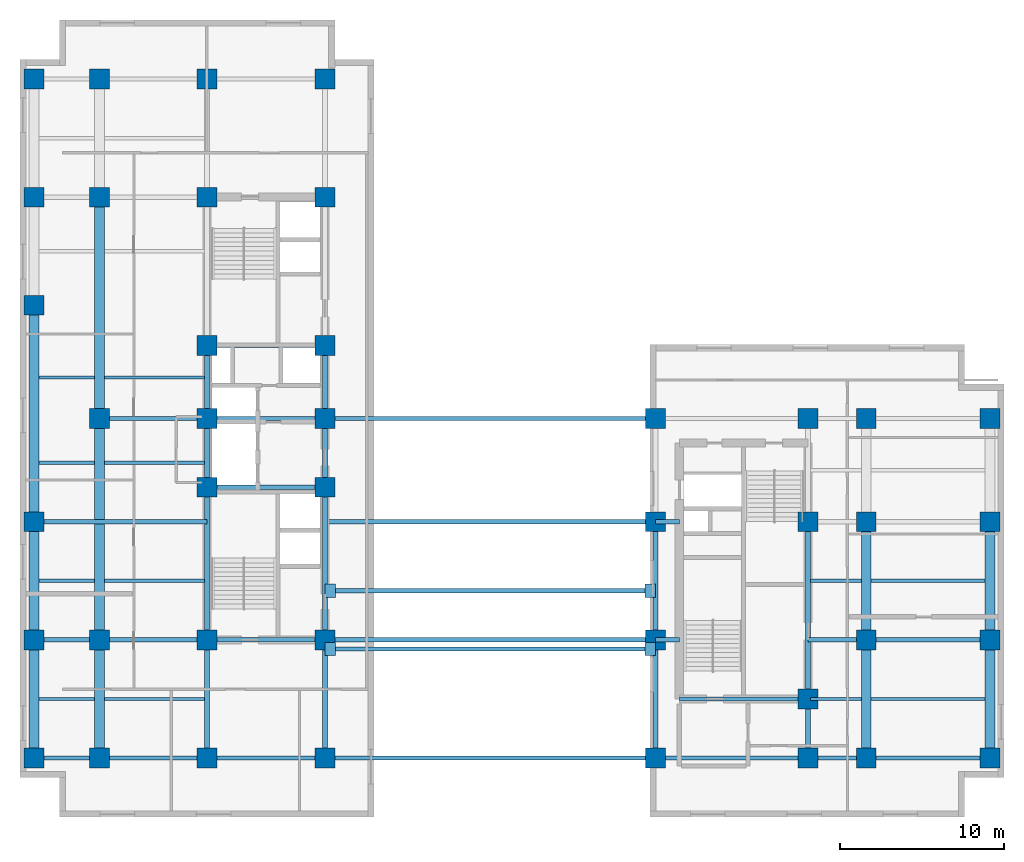
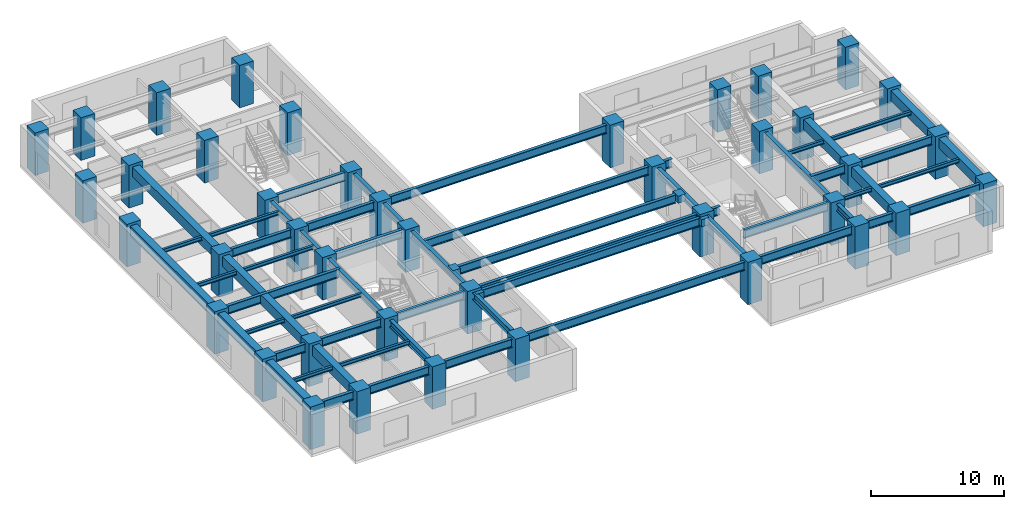
# One storey, part 1 of 8: 63 beams, 41 columns.
"""IFC4 building model written with IfcOpenShell, lengths in metres."""

from ifc_helpers import new_model, entity, si_unit, converted_unit, direction, frame, origin_with_axes, origin_2d_with_axis, place, context, subcontext, project, spatial, rectangle, i_section, extrude, material, material_profile, profile_set, type_object, element, save


model = new_model("IFC4")

# Units and contexts
model_context = context("Model", 3, precision=1e-05, world=origin_with_axes(), true_north=direction((0.0, 1.0)))
body_context = subcontext(model_context, "Body", "Model", "MODEL_VIEW")
ifc_project = project(units=[si_unit("LENGTHUNIT", "METRE"), si_unit("AREAUNIT", "SQUARE_METRE"), si_unit("VOLUMEUNIT", "CUBIC_METRE"), converted_unit("PLANEANGLEUNIT", "DEGREE", entity("IfcPlaneAngleMeasure", 0.017453292519943295), si_unit("PLANEANGLEUNIT", "RADIAN"), dimensions=[0, 0, 0, 0, 0, 0, 0]), si_unit("MASSUNIT", "GRAM", prefix="KILO"), si_unit("THERMODYNAMICTEMPERATUREUNIT", "KELVIN")], contexts=[model_context])

# Site, building, storey
site_placement = place(None, origin_with_axes())
site = spatial("IfcSite", under=ifc_project, at=site_placement, CompositionType="ELEMENT")
building_placement = place(site_placement, origin_with_axes())
building = spatial("IfcBuilding", under=site, at=building_placement, Name="Varnlund Millrace Tower", CompositionType="ELEMENT")
storey_placement = place(building_placement, frame((0.0, 0.0, 100.8), z_axis=(0.0, 0.0, 1.0), x_axis=(1.0, 0.0, 0.0)))
storey = spatial("IfcBuildingStorey", under=building, at=storey_placement, Name="L24", CompositionType="ELEMENT", Elevation=100.8)

# Columns
ifc_material_1 = material(Name="Concrete C80/95", Category="concrete")
ifc_material_profile_1 = material_profile(ifc_material_1, rectangle(XDim=1.2, YDim=1.2, at=origin_2d_with_axis()), Name="Concrete C80/95")
ifc_profile_set_1 = profile_set([ifc_material_profile_1], Name="Concrete C80/95")
column_type = type_object("IfcColumnType", Name="Type-Col-RC1200-C80", PredefinedType="COLUMN", material=ifc_profile_set_1)
for number, where, z_axis, x_axis, name in (
    (1, (11.4, 3.6, 0.0), (0.0, 0.0, 1.0), (1.0, 0.0, 0.0), "Type-Col-RC1200-C80"),
    (2, (11.4, 10.8, 0.0), (0.0, 0.0, 1.0), (1.0, 0.0, 0.0), "Type-Col-RC1200-C80"),
    (3, (11.4, 20.1, 0.0), (0.0, 0.0, 1.0), (1.0, 0.0, 0.0), "Type-Col-RC1200-C80"),
    (4, (11.4, 24.3, 0.0), (0.0, 0.0, 1.0), (1.0, 0.0, 0.0), "Type-Col-RC1200-C80"),
    (5, (11.4, 28.75, 0.0), (0.0, 0.0, 1.0), (1.0, 0.0, 0.0), "Type-Col-RC1200-C80"),
    (6, (11.4, 37.8, 0.0), (0.0, 0.0, 1.0), (1.0, 0.0, 0.0), "Type-Col-RC1200-C80"),
    (7, (11.4, 45.0, 0.0), (0.0, 0.0, 1.0), (1.0, 0.0, 0.0), "Type-Col-RC1200-C80"),
    (8, (18.6, 3.6, 0.0), (0.0, 0.0, 1.0), (1.0, 0.0, 0.0), "Type-Col-RC1200-C80"),
    (9, (18.6, 10.8, 0.0), (0.0, 0.0, 1.0), (1.0, 0.0, 0.0), "Type-Col-RC1200-C80"),
    (10, (18.6, 20.1, 0.0), (0.0, 0.0, 1.0), (1.0, 0.0, 0.0), "Type-Col-RC1200-C80"),
    (11, (18.6, 24.3, 0.0), (0.0, 0.0, 1.0), (1.0, 0.0, 0.0), "Type-Col-RC1200-C80"),
    (12, (18.6, 28.75, 0.0), (0.0, 0.0, 1.0), (1.0, 0.0, 0.0), "Type-Col-RC1200-C80"),
    (13, (18.6, 37.8, 0.0), (0.0, 0.0, 1.0), (1.0, 0.0, 0.0), "Type-Col-RC1200-C80"),
    (14, (18.6, 45.0, 0.0), (0.0, 0.0, 1.0), (1.0, 0.0, 0.0), "Type-Col-RC1200-C80"),
    (15, (4.85, 3.6, 0.0), (0.0, 0.0, 1.0), (1.0, 0.0, 0.0), "Type-Col-RC1200-C80"),
    (16, (4.85, 10.8, 0.0), (0.0, 0.0, 1.0), (1.0, 0.0, 0.0), "Type-Col-RC1200-C80"),
    (17, (4.85, 24.3, 0.0), (0.0, 0.0, 1.0), (1.0, 0.0, 0.0), "Type-Col-RC1200-C80"),
    (18, (4.85, 37.8, 0.0), (0.0, 0.0, 1.0), (1.0, 0.0, 0.0), "Type-Col-RC1200-C80"),
    (19, (4.85, 45.0, 0.0), (0.0, 0.0, 1.0), (1.0, 0.0, 0.0), "Type-Col-RC1200-C80"),
    (20, (0.85, 3.6, 0.0), (0.0, 0.0, 1.0), (1.0, 0.0, 0.0), "Type-Col-RC1200-C80"),
    (21, (0.85, 10.8, 0.0), (0.0, 0.0, 1.0), (1.0, 0.0, 0.0), "Type-Col-RC1200-C80"),
    (22, (0.85, 18.0, 0.0), (0.0, 0.0, 1.0), (1.0, 0.0, 0.0), "Type-Col-RC1200-C80"),
    (23, (0.85, 31.2, 0.0), (0.0, 0.0, 1.0), (1.0, 0.0, 0.0), "Type-Col-RC1200-C80"),
    (24, (0.85, 37.8, 0.0), (0.0, 0.0, 1.0), (1.0, 0.0, 0.0), "Type-Col-RC1200-C80"),
    (25, (0.85, 45.0, 0.0), (0.0, 0.0, 1.0), (1.0, 0.0, 0.0), "Type-Col-RC1200-C80"),
    (26, (38.75, 3.6, 0.0), (0.0, 0.0, 1.0), (1.0, 0.0, 0.0), "Type-Col-RC1200-C80"),
    (27, (38.75, 10.8, 0.0), (0.0, 0.0, 1.0), (1.0, 0.0, 0.0), "Type-Col-RC1200-C80"),
    (28, (38.75, 18.0, 0.0), (0.0, 0.0, 1.0), (1.0, 0.0, 0.0), "Type-Col-RC1200-C80"),
    (29, (38.75, 24.3, 0.0), (0.0, 0.0, 1.0), (1.0, 0.0, 0.0), "Type-Col-RC1200-C80"),
    (30, (48.05, 3.6, 0.0), (0.0, 0.0, 1.0), (1.0, 0.0, 0.0), "Type-Col-RC1200-C80"),
    (31, (48.05, 7.2, 0.0), (0.0, 0.0, 1.0), (1.0, 0.0, 0.0), "Type-Col-RC1200-C80"),
    (32, (48.05, 18.0, 0.0), (0.0, 0.0, 1.0), (1.0, 0.0, 0.0), "Type-Col-RC1200-C80"),
    (33, (48.05, 24.3, 0.0), (0.0, 0.0, 1.0), (1.0, 0.0, 0.0), "Type-Col-RC1200-C80"),
    (34, (51.6, 3.6, 0.0), (0.0, 0.0, 1.0), (1.0, 0.0, 0.0), "Type-Col-RC1200-C80"),
    (35, (51.6, 10.8, 0.0), (0.0, 0.0, 1.0), (1.0, 0.0, 0.0), "Type-Col-RC1200-C80"),
    (36, (51.6, 18.0, 0.0), (0.0, 0.0, 1.0), (1.0, 0.0, 0.0), "Type-Col-RC1200-C80"),
    (37, (51.6, 24.3, 0.0), (0.0, 0.0, 1.0), (1.0, 0.0, 0.0), "Type-Col-RC1200-C80"),
    (38, (59.15, 3.6, 0.0), (0.0, 0.0, 1.0), (1.0, 0.0, 0.0), "Type-Col-RC1200-C80"),
    (39, (59.15, 10.8, 0.0), (0.0, 0.0, 1.0), (1.0, 0.0, 0.0), "Type-Col-RC1200-C80"),
    (40, (59.15, 18.0, 0.0), (0.0, 0.0, 1.0), (1.0, 0.0, 0.0), "Type-Col-RC1200-C80"),
    (41, (59.15, 24.3, 0.0), (0.0, 0.0, 1.0), (1.0, 0.0, 0.0), "Type-Col-RC1200-C80"),
):
    element("IfcColumn", number, at=place(storey_placement, frame(where, z_axis=z_axis, x_axis=x_axis)), inside=storey, type_object=column_type, Name=name, PredefinedType="COLUMN", context=body_context, shape_type="SweptSolid", body=[
        extrude(rectangle(XDim=1.2, YDim=1.2, at=origin_2d_with_axis()), origin_with_axes(), (0.0, 0.0, 1.0), 3.9),
    ])

# Beams
ifc_material_2 = material(Name="Concrete C70/85", Category="concrete")
ifc_material_profile_2 = material_profile(ifc_material_2, rectangle(XDim=0.8, YDim=0.65, at=origin_2d_with_axis()), Name="Concrete C70/85")
ifc_profile_set_2 = profile_set([ifc_material_profile_2], Name="Concrete C70/85")
beam_type_1 = type_object("IfcBeamType", Name="Type-Corbel-Seat-RC800X650", PredefinedType="USERDEFINED", material=ifc_profile_set_2)
for number, where, z_axis, x_axis, name in (
    (42, (18.6, 10.25, 3.335), (1.0, 0.0, 0.0), (0.0, 1.0, 0.0), "Type-Corbel-Seat-RC800X650"),
    (43, (18.6, 13.8, 3.335), (1.0, 0.0, 0.0), (0.0, 1.0, 0.0), "Type-Corbel-Seat-RC800X650"),
    (44, (38.1, 10.25, 3.335), (1.0, 0.0, 0.0), (0.0, 1.0, 0.0), "Type-Corbel-Seat-RC800X650"),
    (45, (38.1, 13.8, 3.335), (1.0, 0.0, 0.0), (0.0, 1.0, 0.0), "Type-Corbel-Seat-RC800X650"),
):
    element("IfcBeam", number, at=place(storey_placement, frame(where, z_axis=z_axis, x_axis=x_axis)), inside=storey, type_object=beam_type_1, Name=name, ObjectType="GIRDER", PredefinedType="USERDEFINED", context=body_context, shape_type="SweptSolid", body=[
        extrude(rectangle(XDim=0.8, YDim=0.65, at=origin_2d_with_axis()), origin_with_axes(), (0.0, 0.0, 1.0), 0.65),
    ])
ifc_material_3 = material(Name="Steel ASTM A992 Grade 50", Category="steel")
ifc_material_profile_3 = material_profile(ifc_material_3, i_section(OverallWidth=0.328, OverallDepth=0.628, WebThickness=0.0165, FlangeThickness=0.0277, FilletRadius=0.018, at=origin_2d_with_axis()), Name="Steel ASTM A992 Grade 50")
ifc_profile_set_3 = profile_set([ifc_material_profile_3], Name="Steel ASTM A992 Grade 50")
beam_type_2 = type_object("IfcBeamType", Name="Type-Girder-W24X146", PredefinedType="USERDEFINED", material=ifc_profile_set_3)
beam_1_placement = place(storey_placement, frame((11.4, 3.6, 3.346), z_axis=(0.0, 1.0, 0.0), x_axis=(-1.0, 0.0, 0.0)))
element("IfcBeam", 46, at=beam_1_placement, inside=storey, type_object=beam_type_2, Name="Type-Girder-W24X146", ObjectType="GIRDER", PredefinedType="USERDEFINED", context=body_context, shape_type="SweptSolid", body=[
    extrude(i_section(OverallWidth=0.328, OverallDepth=0.628, WebThickness=0.0165, FlangeThickness=0.0277, FilletRadius=0.018, at=origin_2d_with_axis()), origin_with_axes(), (0.0, 0.0, 1.0), 7.2),
])
beam_2_placement = place(storey_placement, frame((11.4, 10.8, 3.346), z_axis=(0.0, 1.0, 0.0), x_axis=(-1.0, 0.0, 0.0)))
element("IfcBeam", 47, at=beam_2_placement, inside=storey, type_object=beam_type_2, Name="Type-Girder-W24X146", ObjectType="GIRDER", PredefinedType="USERDEFINED", context=body_context, shape_type="SweptSolid", body=[
    extrude(i_section(OverallWidth=0.328, OverallDepth=0.628, WebThickness=0.0165, FlangeThickness=0.0277, FilletRadius=0.018, at=origin_2d_with_axis()), origin_with_axes(), (0.0, 0.0, 1.0), 9.3),
])
beam_3_placement = place(storey_placement, frame((11.4, 20.1, 3.346), z_axis=(0.0, 1.0, 0.0), x_axis=(-1.0, 0.0, 0.0)))
element("IfcBeam", 48, at=beam_3_placement, inside=storey, type_object=beam_type_2, Name="Type-Girder-W24X146", ObjectType="GIRDER", PredefinedType="USERDEFINED", context=body_context, shape_type="SweptSolid", body=[
    extrude(i_section(OverallWidth=0.328, OverallDepth=0.628, WebThickness=0.0165, FlangeThickness=0.0277, FilletRadius=0.018, at=origin_2d_with_axis()), origin_with_axes(), (0.0, 0.0, 1.0), 4.2),
])
beam_4_placement = place(storey_placement, frame((11.4, 24.3, 3.346), z_axis=(0.0, 1.0, 0.0), x_axis=(-1.0, 0.0, 0.0)))
element("IfcBeam", 49, at=beam_4_placement, inside=storey, type_object=beam_type_2, Name="Type-Girder-W24X146", ObjectType="GIRDER", PredefinedType="USERDEFINED", context=body_context, shape_type="SweptSolid", body=[
    extrude(i_section(OverallWidth=0.328, OverallDepth=0.628, WebThickness=0.0165, FlangeThickness=0.0277, FilletRadius=0.018, at=origin_2d_with_axis()), origin_with_axes(), (0.0, 0.0, 1.0), 4.45),
])
beam_5_placement = place(storey_placement, frame((18.6, 3.6, 3.346), z_axis=(0.0, 1.0, 0.0), x_axis=(-1.0, 0.0, 0.0)))
element("IfcBeam", 50, at=beam_5_placement, inside=storey, type_object=beam_type_2, Name="Type-Girder-W24X146", ObjectType="GIRDER", PredefinedType="USERDEFINED", context=body_context, shape_type="SweptSolid", body=[
    extrude(i_section(OverallWidth=0.328, OverallDepth=0.628, WebThickness=0.0165, FlangeThickness=0.0277, FilletRadius=0.018, at=origin_2d_with_axis()), origin_with_axes(), (0.0, 0.0, 1.0), 7.2),
])
beam_6_placement = place(storey_placement, frame((18.6, 10.8, 3.346), z_axis=(0.0, 1.0, 0.0), x_axis=(-1.0, 0.0, 0.0)))
element("IfcBeam", 51, at=beam_6_placement, inside=storey, type_object=beam_type_2, Name="Type-Girder-W24X146", ObjectType="GIRDER", PredefinedType="USERDEFINED", context=body_context, shape_type="SweptSolid", body=[
    extrude(i_section(OverallWidth=0.328, OverallDepth=0.628, WebThickness=0.0165, FlangeThickness=0.0277, FilletRadius=0.018, at=origin_2d_with_axis()), origin_with_axes(), (0.0, 0.0, 1.0), 9.3),
])
beam_7_placement = place(storey_placement, frame((18.6, 20.1, 3.346), z_axis=(0.0, 1.0, 0.0), x_axis=(-1.0, 0.0, 0.0)))
element("IfcBeam", 52, at=beam_7_placement, inside=storey, type_object=beam_type_2, Name="Type-Girder-W24X146", ObjectType="GIRDER", PredefinedType="USERDEFINED", context=body_context, shape_type="SweptSolid", body=[
    extrude(i_section(OverallWidth=0.328, OverallDepth=0.628, WebThickness=0.0165, FlangeThickness=0.0277, FilletRadius=0.018, at=origin_2d_with_axis()), origin_with_axes(), (0.0, 0.0, 1.0), 4.2),
])
beam_8_placement = place(storey_placement, frame((18.6, 24.3, 3.346), z_axis=(0.0, 1.0, 0.0), x_axis=(-1.0, 0.0, 0.0)))
element("IfcBeam", 53, at=beam_8_placement, inside=storey, type_object=beam_type_2, Name="Type-Girder-W24X146", ObjectType="GIRDER", PredefinedType="USERDEFINED", context=body_context, shape_type="SweptSolid", body=[
    extrude(i_section(OverallWidth=0.328, OverallDepth=0.628, WebThickness=0.0165, FlangeThickness=0.0277, FilletRadius=0.018, at=origin_2d_with_axis()), origin_with_axes(), (0.0, 0.0, 1.0), 4.45),
])
for number, where, z_axis, x_axis, name in (
    (54, (38.75, 3.6, 3.346), (0.0, 1.0, 0.0), (-1.0, 0.0, 0.0), "Type-Girder-W24X146"),
    (55, (38.75, 10.8, 3.346), (0.0, 1.0, 0.0), (-1.0, 0.0, 0.0), "Type-Girder-W24X146"),
):
    element("IfcBeam", number, at=place(storey_placement, frame(where, z_axis=z_axis, x_axis=x_axis)), inside=storey, type_object=beam_type_2, Name=name, ObjectType="GIRDER", PredefinedType="USERDEFINED", context=body_context, shape_type="SweptSolid", body=[
        extrude(i_section(OverallWidth=0.328, OverallDepth=0.628, WebThickness=0.0165, FlangeThickness=0.0277, FilletRadius=0.018, at=origin_2d_with_axis()), origin_with_axes(), (0.0, 0.0, 1.0), 7.2),
    ])
beam_9_placement = place(storey_placement, frame((48.05, 3.6, 3.346), z_axis=(0.0, 1.0, 0.0), x_axis=(-1.0, 0.0, 0.0)))
element("IfcBeam", 56, at=beam_9_placement, inside=storey, type_object=beam_type_2, Name="Type-Girder-W24X146", ObjectType="GIRDER", PredefinedType="USERDEFINED", context=body_context, shape_type="SweptSolid", body=[
    extrude(i_section(OverallWidth=0.328, OverallDepth=0.628, WebThickness=0.0165, FlangeThickness=0.0277, FilletRadius=0.018, at=origin_2d_with_axis()), origin_with_axes(), (0.0, 0.0, 1.0), 3.6),
])
beam_10_placement = place(storey_placement, frame((48.05, 7.2, 3.346), z_axis=(0.0, 1.0, 0.0), x_axis=(-1.0, 0.0, 0.0)))
element("IfcBeam", 57, at=beam_10_placement, inside=storey, type_object=beam_type_2, Name="Type-Girder-W24X146", ObjectType="GIRDER", PredefinedType="USERDEFINED", context=body_context, shape_type="SweptSolid", body=[
    extrude(i_section(OverallWidth=0.328, OverallDepth=0.628, WebThickness=0.0165, FlangeThickness=0.0277, FilletRadius=0.018, at=origin_2d_with_axis()), origin_with_axes(), (0.0, 0.0, 1.0), 10.8),
])
ifc_material_profile_4 = material_profile(ifc_material_3, i_section(OverallWidth=0.266, OverallDepth=0.779, WebThickness=0.0165, FlangeThickness=0.03, FilletRadius=0.02, at=origin_2d_with_axis()), Name="Steel ASTM A992 Grade 50")
ifc_profile_set_4 = profile_set([ifc_material_profile_4], Name="Steel ASTM A992 Grade 50")
beam_type_3 = type_object("IfcBeamType", Name="Type-Girder-W30X148", PredefinedType="USERDEFINED", material=ifc_profile_set_4)
for number, where, z_axis, x_axis, name in (
    (58, (19.25, 10.25, 3.2705), (1.0, 0.0, 0.0), (0.0, 1.0, 0.0), "Type-Girder-W30X148"),
    (59, (19.25, 13.8, 3.2705), (1.0, 0.0, 0.0), (0.0, 1.0, 0.0), "Type-Girder-W30X148"),
):
    element("IfcBeam", number, at=place(storey_placement, frame(where, z_axis=z_axis, x_axis=x_axis)), inside=storey, type_object=beam_type_3, Name=name, ObjectType="GIRDER", PredefinedType="USERDEFINED", context=body_context, shape_type="SweptSolid", body=[
        extrude(i_section(OverallWidth=0.266, OverallDepth=0.779, WebThickness=0.0165, FlangeThickness=0.03, FilletRadius=0.02, at=origin_2d_with_axis()), origin_with_axes(), (0.0, 0.0, 1.0), 18.85),
    ])
beam_11_placement = place(storey_placement, frame((0.85, 3.6, 3.2705), z_axis=(1.0, 0.0, 0.0), x_axis=(0.0, 1.0, 0.0)))
element("IfcBeam", 60, at=beam_11_placement, inside=storey, type_object=beam_type_3, Name="Type-Girder-W30X148", ObjectType="GIRDER", PredefinedType="USERDEFINED", context=body_context, shape_type="SweptSolid", body=[
    extrude(i_section(OverallWidth=0.266, OverallDepth=0.779, WebThickness=0.0165, FlangeThickness=0.03, FilletRadius=0.02, at=origin_2d_with_axis()), origin_with_axes(), (0.0, 0.0, 1.0), 4.0),
])
beam_12_placement = place(storey_placement, frame((4.85, 3.6, 3.2705), z_axis=(1.0, 0.0, 0.0), x_axis=(0.0, 1.0, 0.0)))
element("IfcBeam", 61, at=beam_12_placement, inside=storey, type_object=beam_type_3, Name="Type-Girder-W30X148", ObjectType="GIRDER", PredefinedType="USERDEFINED", context=body_context, shape_type="SweptSolid", body=[
    extrude(i_section(OverallWidth=0.266, OverallDepth=0.779, WebThickness=0.0165, FlangeThickness=0.03, FilletRadius=0.02, at=origin_2d_with_axis()), origin_with_axes(), (0.0, 0.0, 1.0), 6.55),
])
beam_13_placement = place(storey_placement, frame((11.4, 3.6, 3.2705), z_axis=(1.0, 0.0, 0.0), x_axis=(0.0, 1.0, 0.0)))
element("IfcBeam", 62, at=beam_13_placement, inside=storey, type_object=beam_type_3, Name="Type-Girder-W30X148", ObjectType="GIRDER", PredefinedType="USERDEFINED", context=body_context, shape_type="SweptSolid", body=[
    extrude(i_section(OverallWidth=0.266, OverallDepth=0.779, WebThickness=0.0165, FlangeThickness=0.03, FilletRadius=0.02, at=origin_2d_with_axis()), origin_with_axes(), (0.0, 0.0, 1.0), 7.2),
])
beam_14_placement = place(storey_placement, frame((18.6, 3.6, 3.2705), z_axis=(1.0, 0.0, 0.0), x_axis=(0.0, 1.0, 0.0)))
element("IfcBeam", 63, at=beam_14_placement, inside=storey, type_object=beam_type_3, Name="Type-Girder-W30X148", ObjectType="GIRDER", PredefinedType="USERDEFINED", context=body_context, shape_type="SweptSolid", body=[
    extrude(i_section(OverallWidth=0.266, OverallDepth=0.779, WebThickness=0.0165, FlangeThickness=0.03, FilletRadius=0.02, at=origin_2d_with_axis()), origin_with_axes(), (0.0, 0.0, 1.0), 20.15),
])
beam_15_placement = place(storey_placement, frame((38.75, 3.6, 3.2705), z_axis=(1.0, 0.0, 0.0), x_axis=(0.0, 1.0, 0.0)))
element("IfcBeam", 64, at=beam_15_placement, inside=storey, type_object=beam_type_3, Name="Type-Girder-W30X148", ObjectType="GIRDER", PredefinedType="USERDEFINED", context=body_context, shape_type="SweptSolid", body=[
    extrude(i_section(OverallWidth=0.266, OverallDepth=0.779, WebThickness=0.0165, FlangeThickness=0.03, FilletRadius=0.02, at=origin_2d_with_axis()), origin_with_axes(), (0.0, 0.0, 1.0), 9.3),
])
beam_16_placement = place(storey_placement, frame((48.05, 3.6, 3.2705), z_axis=(1.0, 0.0, 0.0), x_axis=(0.0, 1.0, 0.0)))
element("IfcBeam", 65, at=beam_16_placement, inside=storey, type_object=beam_type_3, Name="Type-Girder-W30X148", ObjectType="GIRDER", PredefinedType="USERDEFINED", context=body_context, shape_type="SweptSolid", body=[
    extrude(i_section(OverallWidth=0.266, OverallDepth=0.779, WebThickness=0.0165, FlangeThickness=0.03, FilletRadius=0.02, at=origin_2d_with_axis()), origin_with_axes(), (0.0, 0.0, 1.0), 3.55),
])
beam_17_placement = place(storey_placement, frame((51.6, 3.6, 3.2705), z_axis=(1.0, 0.0, 0.0), x_axis=(0.0, 1.0, 0.0)))
element("IfcBeam", 66, at=beam_17_placement, inside=storey, type_object=beam_type_3, Name="Type-Girder-W30X148", ObjectType="GIRDER", PredefinedType="USERDEFINED", context=body_context, shape_type="SweptSolid", body=[
    extrude(i_section(OverallWidth=0.266, OverallDepth=0.779, WebThickness=0.0165, FlangeThickness=0.03, FilletRadius=0.02, at=origin_2d_with_axis()), origin_with_axes(), (0.0, 0.0, 1.0), 7.55),
])
beam_18_placement = place(storey_placement, frame((40.2, 7.2, 3.2705), z_axis=(1.0, 0.0, 0.0), x_axis=(0.0, 1.0, 0.0)))
element("IfcBeam", 67, at=beam_18_placement, inside=storey, type_object=beam_type_3, Name="Type-Girder-W30X148", ObjectType="GIRDER", PredefinedType="USERDEFINED", context=body_context, shape_type="SweptSolid", body=[
    extrude(i_section(OverallWidth=0.266, OverallDepth=0.779, WebThickness=0.0165, FlangeThickness=0.03, FilletRadius=0.02, at=origin_2d_with_axis()), origin_with_axes(), (0.0, 0.0, 1.0), 7.85),
])
beam_19_placement = place(storey_placement, frame((0.85, 10.8, 3.2705), z_axis=(1.0, 0.0, 0.0), x_axis=(0.0, 1.0, 0.0)))
element("IfcBeam", 68, at=beam_19_placement, inside=storey, type_object=beam_type_3, Name="Type-Girder-W30X148", ObjectType="GIRDER", PredefinedType="USERDEFINED", context=body_context, shape_type="SweptSolid", body=[
    extrude(i_section(OverallWidth=0.266, OverallDepth=0.779, WebThickness=0.0165, FlangeThickness=0.03, FilletRadius=0.02, at=origin_2d_with_axis()), origin_with_axes(), (0.0, 0.0, 1.0), 4.0),
])
beam_20_placement = place(storey_placement, frame((4.85, 10.8, 3.2705), z_axis=(1.0, 0.0, 0.0), x_axis=(0.0, 1.0, 0.0)))
element("IfcBeam", 69, at=beam_20_placement, inside=storey, type_object=beam_type_3, Name="Type-Girder-W30X148", ObjectType="GIRDER", PredefinedType="USERDEFINED", context=body_context, shape_type="SweptSolid", body=[
    extrude(i_section(OverallWidth=0.266, OverallDepth=0.779, WebThickness=0.0165, FlangeThickness=0.03, FilletRadius=0.02, at=origin_2d_with_axis()), origin_with_axes(), (0.0, 0.0, 1.0), 6.55),
])
beam_21_placement = place(storey_placement, frame((11.4, 10.8, 3.2705), z_axis=(1.0, 0.0, 0.0), x_axis=(0.0, 1.0, 0.0)))
element("IfcBeam", 70, at=beam_21_placement, inside=storey, type_object=beam_type_3, Name="Type-Girder-W30X148", ObjectType="GIRDER", PredefinedType="USERDEFINED", context=body_context, shape_type="SweptSolid", body=[
    extrude(i_section(OverallWidth=0.266, OverallDepth=0.779, WebThickness=0.0165, FlangeThickness=0.03, FilletRadius=0.02, at=origin_2d_with_axis()), origin_with_axes(), (0.0, 0.0, 1.0), 7.2),
])
beam_22_placement = place(storey_placement, frame((18.6, 10.8, 3.2705), z_axis=(1.0, 0.0, 0.0), x_axis=(0.0, 1.0, 0.0)))
element("IfcBeam", 71, at=beam_22_placement, inside=storey, type_object=beam_type_3, Name="Type-Girder-W30X148", ObjectType="GIRDER", PredefinedType="USERDEFINED", context=body_context, shape_type="SweptSolid", body=[
    extrude(i_section(OverallWidth=0.266, OverallDepth=0.779, WebThickness=0.0165, FlangeThickness=0.03, FilletRadius=0.02, at=origin_2d_with_axis()), origin_with_axes(), (0.0, 0.0, 1.0), 20.15),
])
beam_23_placement = place(storey_placement, frame((38.75, 10.8, 3.2705), z_axis=(1.0, 0.0, 0.0), x_axis=(0.0, 1.0, 0.0)))
element("IfcBeam", 72, at=beam_23_placement, inside=storey, type_object=beam_type_3, Name="Type-Girder-W30X148", ObjectType="GIRDER", PredefinedType="USERDEFINED", context=body_context, shape_type="SweptSolid", body=[
    extrude(i_section(OverallWidth=0.266, OverallDepth=0.779, WebThickness=0.0165, FlangeThickness=0.03, FilletRadius=0.02, at=origin_2d_with_axis()), origin_with_axes(), (0.0, 0.0, 1.0), 1.45),
])
beam_24_placement = place(storey_placement, frame((48.05, 10.8, 3.2705), z_axis=(1.0, 0.0, 0.0), x_axis=(0.0, 1.0, 0.0)))
element("IfcBeam", 73, at=beam_24_placement, inside=storey, type_object=beam_type_3, Name="Type-Girder-W30X148", ObjectType="GIRDER", PredefinedType="USERDEFINED", context=body_context, shape_type="SweptSolid", body=[
    extrude(i_section(OverallWidth=0.266, OverallDepth=0.779, WebThickness=0.0165, FlangeThickness=0.03, FilletRadius=0.02, at=origin_2d_with_axis()), origin_with_axes(), (0.0, 0.0, 1.0), 3.55),
])
beam_25_placement = place(storey_placement, frame((51.6, 10.8, 3.2705), z_axis=(1.0, 0.0, 0.0), x_axis=(0.0, 1.0, 0.0)))
element("IfcBeam", 74, at=beam_25_placement, inside=storey, type_object=beam_type_3, Name="Type-Girder-W30X148", ObjectType="GIRDER", PredefinedType="USERDEFINED", context=body_context, shape_type="SweptSolid", body=[
    extrude(i_section(OverallWidth=0.266, OverallDepth=0.779, WebThickness=0.0165, FlangeThickness=0.03, FilletRadius=0.02, at=origin_2d_with_axis()), origin_with_axes(), (0.0, 0.0, 1.0), 7.55),
])
beam_26_placement = place(storey_placement, frame((0.85, 18.0, 3.2705), z_axis=(1.0, 0.0, 0.0), x_axis=(0.0, 1.0, 0.0)))
element("IfcBeam", 75, at=beam_26_placement, inside=storey, type_object=beam_type_3, Name="Type-Girder-W30X148", ObjectType="GIRDER", PredefinedType="USERDEFINED", context=body_context, shape_type="SweptSolid", body=[
    extrude(i_section(OverallWidth=0.266, OverallDepth=0.779, WebThickness=0.0165, FlangeThickness=0.03, FilletRadius=0.02, at=origin_2d_with_axis()), origin_with_axes(), (0.0, 0.0, 1.0), 10.55),
])
beam_27_placement = place(storey_placement, frame((18.6, 18.0, 3.2705), z_axis=(1.0, 0.0, 0.0), x_axis=(0.0, 1.0, 0.0)))
element("IfcBeam", 76, at=beam_27_placement, inside=storey, type_object=beam_type_3, Name="Type-Girder-W30X148", ObjectType="GIRDER", PredefinedType="USERDEFINED", context=body_context, shape_type="SweptSolid", body=[
    extrude(i_section(OverallWidth=0.266, OverallDepth=0.779, WebThickness=0.0165, FlangeThickness=0.03, FilletRadius=0.02, at=origin_2d_with_axis()), origin_with_axes(), (0.0, 0.0, 1.0), 20.15),
])
beam_28_placement = place(storey_placement, frame((38.75, 18.0, 3.2705), z_axis=(1.0, 0.0, 0.0), x_axis=(0.0, 1.0, 0.0)))
element("IfcBeam", 77, at=beam_28_placement, inside=storey, type_object=beam_type_3, Name="Type-Girder-W30X148", ObjectType="GIRDER", PredefinedType="USERDEFINED", context=body_context, shape_type="SweptSolid", body=[
    extrude(i_section(OverallWidth=0.266, OverallDepth=0.779, WebThickness=0.0165, FlangeThickness=0.03, FilletRadius=0.02, at=origin_2d_with_axis()), origin_with_axes(), (0.0, 0.0, 1.0), 1.45),
])
beam_29_placement = place(storey_placement, frame((11.4, 20.1, 3.2705), z_axis=(1.0, 0.0, 0.0), x_axis=(0.0, 1.0, 0.0)))
element("IfcBeam", 78, at=beam_29_placement, inside=storey, type_object=beam_type_3, Name="Type-Girder-W30X148", ObjectType="GIRDER", PredefinedType="USERDEFINED", context=body_context, shape_type="SweptSolid", body=[
    extrude(i_section(OverallWidth=0.266, OverallDepth=0.779, WebThickness=0.0165, FlangeThickness=0.03, FilletRadius=0.02, at=origin_2d_with_axis()), origin_with_axes(), (0.0, 0.0, 1.0), 7.2),
])
beam_30_placement = place(storey_placement, frame((4.85, 24.3, 3.2705), z_axis=(1.0, 0.0, 0.0), x_axis=(0.0, 1.0, 0.0)))
element("IfcBeam", 79, at=beam_30_placement, inside=storey, type_object=beam_type_3, Name="Type-Girder-W30X148", ObjectType="GIRDER", PredefinedType="USERDEFINED", context=body_context, shape_type="SweptSolid", body=[
    extrude(i_section(OverallWidth=0.266, OverallDepth=0.779, WebThickness=0.0165, FlangeThickness=0.03, FilletRadius=0.02, at=origin_2d_with_axis()), origin_with_axes(), (0.0, 0.0, 1.0), 6.55),
])
beam_31_placement = place(storey_placement, frame((11.4, 24.3, 3.2705), z_axis=(1.0, 0.0, 0.0), x_axis=(0.0, 1.0, 0.0)))
element("IfcBeam", 80, at=beam_31_placement, inside=storey, type_object=beam_type_3, Name="Type-Girder-W30X148", ObjectType="GIRDER", PredefinedType="USERDEFINED", context=body_context, shape_type="SweptSolid", body=[
    extrude(i_section(OverallWidth=0.266, OverallDepth=0.779, WebThickness=0.0165, FlangeThickness=0.03, FilletRadius=0.02, at=origin_2d_with_axis()), origin_with_axes(), (0.0, 0.0, 1.0), 7.2),
])
beam_32_placement = place(storey_placement, frame((18.6, 24.3, 3.2705), z_axis=(1.0, 0.0, 0.0), x_axis=(0.0, 1.0, 0.0)))
element("IfcBeam", 81, at=beam_32_placement, inside=storey, type_object=beam_type_3, Name="Type-Girder-W30X148", ObjectType="GIRDER", PredefinedType="USERDEFINED", context=body_context, shape_type="SweptSolid", body=[
    extrude(i_section(OverallWidth=0.266, OverallDepth=0.779, WebThickness=0.0165, FlangeThickness=0.03, FilletRadius=0.02, at=origin_2d_with_axis()), origin_with_axes(), (0.0, 0.0, 1.0), 20.15),
])
beam_33_placement = place(storey_placement, frame((11.4, 28.75, 3.2705), z_axis=(1.0, 0.0, 0.0), x_axis=(0.0, 1.0, 0.0)))
element("IfcBeam", 82, at=beam_33_placement, inside=storey, type_object=beam_type_3, Name="Type-Girder-W30X148", ObjectType="GIRDER", PredefinedType="USERDEFINED", context=body_context, shape_type="SweptSolid", body=[
    extrude(i_section(OverallWidth=0.266, OverallDepth=0.779, WebThickness=0.0165, FlangeThickness=0.03, FilletRadius=0.02, at=origin_2d_with_axis()), origin_with_axes(), (0.0, 0.0, 1.0), 7.2),
])
ifc_material_profile_5 = material_profile(ifc_material_3, i_section(OverallWidth=0.204, OverallDepth=0.35, WebThickness=0.0086, FlangeThickness=0.0151, FilletRadius=0.013, at=origin_2d_with_axis()), Name="Steel ASTM A992 Grade 50")
ifc_profile_set_5 = profile_set([ifc_material_profile_5], Name="Steel ASTM A992 Grade 50")
beam_type_4 = type_object("IfcBeamType", Name="Type-Joist-W14X48", PredefinedType="JOIST", material=ifc_profile_set_5)
for number, where, z_axis, x_axis, name in (
    (83, (1.15, 7.2, 3.485), (1.0, 0.0, 0.0), (0.0, 1.0, 0.0), "Type-Joist-W14X48"),
    (84, (1.15, 14.4, 3.485), (1.0, 0.0, 0.0), (0.0, 1.0, 0.0), "Type-Joist-W14X48"),
    (85, (1.15, 21.6, 3.485), (1.0, 0.0, 0.0), (0.0, 1.0, 0.0), "Type-Joist-W14X48"),
    (86, (1.15, 26.8, 3.485), (1.0, 0.0, 0.0), (0.0, 1.0, 0.0), "Type-Joist-W14X48"),
):
    element("IfcBeam", number, at=place(storey_placement, frame(where, z_axis=z_axis, x_axis=x_axis)), inside=storey, type_object=beam_type_4, Name=name, PredefinedType="JOIST", context=body_context, shape_type="SweptSolid", body=[
        extrude(i_section(OverallWidth=0.204, OverallDepth=0.35, WebThickness=0.0086, FlangeThickness=0.0151, FilletRadius=0.013, at=origin_2d_with_axis()), origin_with_axes(), (0.0, 0.0, 1.0), 3.4),
    ])
for number, where, z_axis, x_axis, name in (
    (87, (5.15, 7.2, 3.485), (1.0, 0.0, 0.0), (0.0, 1.0, 0.0), "Type-Joist-W14X48"),
    (88, (5.15, 14.4, 3.485), (1.0, 0.0, 0.0), (0.0, 1.0, 0.0), "Type-Joist-W14X48"),
    (89, (5.15, 21.6, 3.485), (1.0, 0.0, 0.0), (0.0, 1.0, 0.0), "Type-Joist-W14X48"),
    (90, (5.15, 26.8, 3.485), (1.0, 0.0, 0.0), (0.0, 1.0, 0.0), "Type-Joist-W14X48"),
):
    element("IfcBeam", number, at=place(storey_placement, frame(where, z_axis=z_axis, x_axis=x_axis)), inside=storey, type_object=beam_type_4, Name=name, PredefinedType="JOIST", context=body_context, shape_type="SweptSolid", body=[
        extrude(i_section(OverallWidth=0.204, OverallDepth=0.35, WebThickness=0.0086, FlangeThickness=0.0151, FilletRadius=0.013, at=origin_2d_with_axis()), origin_with_axes(), (0.0, 0.0, 1.0), 6.086),
    ])
for number, where, z_axis, x_axis, name in (
    (91, (48.214, 7.2, 3.485), (1.0, 0.0, 0.0), (0.0, 1.0, 0.0), "Type-Joist-W14X48"),
    (92, (48.214, 14.4, 3.485), (1.0, 0.0, 0.0), (0.0, 1.0, 0.0), "Type-Joist-W14X48"),
):
    element("IfcBeam", number, at=place(storey_placement, frame(where, z_axis=z_axis, x_axis=x_axis)), inside=storey, type_object=beam_type_4, Name=name, PredefinedType="JOIST", context=body_context, shape_type="SweptSolid", body=[
        extrude(i_section(OverallWidth=0.204, OverallDepth=0.35, WebThickness=0.0086, FlangeThickness=0.0151, FilletRadius=0.013, at=origin_2d_with_axis()), origin_with_axes(), (0.0, 0.0, 1.0), 3.086),
    ])
for number, where, z_axis, x_axis, name in (
    (93, (51.9, 7.2, 3.485), (1.0, 0.0, 0.0), (0.0, 1.0, 0.0), "Type-Joist-W14X48"),
    (94, (51.9, 14.4, 3.485), (1.0, 0.0, 0.0), (0.0, 1.0, 0.0), "Type-Joist-W14X48"),
):
    element("IfcBeam", number, at=place(storey_placement, frame(where, z_axis=z_axis, x_axis=x_axis)), inside=storey, type_object=beam_type_4, Name=name, PredefinedType="JOIST", context=body_context, shape_type="SweptSolid", body=[
        extrude(i_section(OverallWidth=0.204, OverallDepth=0.35, WebThickness=0.0086, FlangeThickness=0.0151, FilletRadius=0.013, at=origin_2d_with_axis()), origin_with_axes(), (0.0, 0.0, 1.0), 6.95),
    ])
ifc_material_profile_6 = material_profile(ifc_material_2, rectangle(XDim=0.6, YDim=0.9, at=origin_2d_with_axis()), Name="Concrete C70/85")
ifc_profile_set_6 = profile_set([ifc_material_profile_6], Name="Concrete C70/85")
beam_type_5 = type_object("IfcBeamType", Name="Type-Spandrel-RC600X900", PredefinedType="SPANDREL", material=ifc_profile_set_6)
for number, where, z_axis, x_axis, name in (
    (95, (0.85, 3.6, 3.21), (0.0, 1.0, 0.0), (-1.0, 0.0, 0.0), "Type-Spandrel-RC600X900"),
    (96, (0.85, 10.8, 3.21), (0.0, 1.0, 0.0), (-1.0, 0.0, 0.0), "Type-Spandrel-RC600X900"),
):
    element("IfcBeam", number, at=place(storey_placement, frame(where, z_axis=z_axis, x_axis=x_axis)), inside=storey, type_object=beam_type_5, Name=name, PredefinedType="SPANDREL", context=body_context, shape_type="SweptSolid", body=[
        extrude(rectangle(XDim=0.6, YDim=0.9, at=origin_2d_with_axis()), origin_with_axes(), (0.0, 0.0, 1.0), 7.2),
    ])
beam_34_placement = place(storey_placement, frame((0.85, 18.0, 3.21), z_axis=(0.0, 1.0, 0.0), x_axis=(-1.0, 0.0, 0.0)))
element("IfcBeam", 97, at=beam_34_placement, inside=storey, type_object=beam_type_5, Name="Type-Spandrel-RC600X900", PredefinedType="SPANDREL", context=body_context, shape_type="SweptSolid", body=[
    extrude(rectangle(XDim=0.6, YDim=0.9, at=origin_2d_with_axis()), origin_with_axes(), (0.0, 0.0, 1.0), 13.2),
])
beam_35_placement = place(storey_placement, frame((4.85, 3.6, 3.21), z_axis=(0.0, 1.0, 0.0), x_axis=(-1.0, 0.0, 0.0)))
element("IfcBeam", 98, at=beam_35_placement, inside=storey, type_object=beam_type_5, Name="Type-Spandrel-RC600X900", PredefinedType="SPANDREL", context=body_context, shape_type="SweptSolid", body=[
    extrude(rectangle(XDim=0.6, YDim=0.9, at=origin_2d_with_axis()), origin_with_axes(), (0.0, 0.0, 1.0), 7.2),
])
for number, where, z_axis, x_axis, name in (
    (99, (4.85, 10.8, 3.21), (0.0, 1.0, 0.0), (-1.0, 0.0, 0.0), "Type-Spandrel-RC600X900"),
    (100, (4.85, 24.3, 3.21), (0.0, 1.0, 0.0), (-1.0, 0.0, 0.0), "Type-Spandrel-RC600X900"),
):
    element("IfcBeam", number, at=place(storey_placement, frame(where, z_axis=z_axis, x_axis=x_axis)), inside=storey, type_object=beam_type_5, Name=name, PredefinedType="SPANDREL", context=body_context, shape_type="SweptSolid", body=[
        extrude(rectangle(XDim=0.6, YDim=0.9, at=origin_2d_with_axis()), origin_with_axes(), (0.0, 0.0, 1.0), 13.5),
    ])
for number, where, z_axis, x_axis, name in (
    (101, (51.6, 3.6, 3.21), (0.0, 1.0, 0.0), (-1.0, 0.0, 0.0), "Type-Spandrel-RC600X900"),
    (102, (51.6, 10.8, 3.21), (0.0, 1.0, 0.0), (-1.0, 0.0, 0.0), "Type-Spandrel-RC600X900"),
    (103, (59.15, 3.6, 3.21), (0.0, 1.0, 0.0), (-1.0, 0.0, 0.0), "Type-Spandrel-RC600X900"),
    (104, (59.15, 10.8, 3.21), (0.0, 1.0, 0.0), (-1.0, 0.0, 0.0), "Type-Spandrel-RC600X900"),
):
    element("IfcBeam", number, at=place(storey_placement, frame(where, z_axis=z_axis, x_axis=x_axis)), inside=storey, type_object=beam_type_5, Name=name, PredefinedType="SPANDREL", context=body_context, shape_type="SweptSolid", body=[
        extrude(rectangle(XDim=0.6, YDim=0.9, at=origin_2d_with_axis()), origin_with_axes(), (0.0, 0.0, 1.0), 7.2),
    ])

save(model, "model.ifc")
